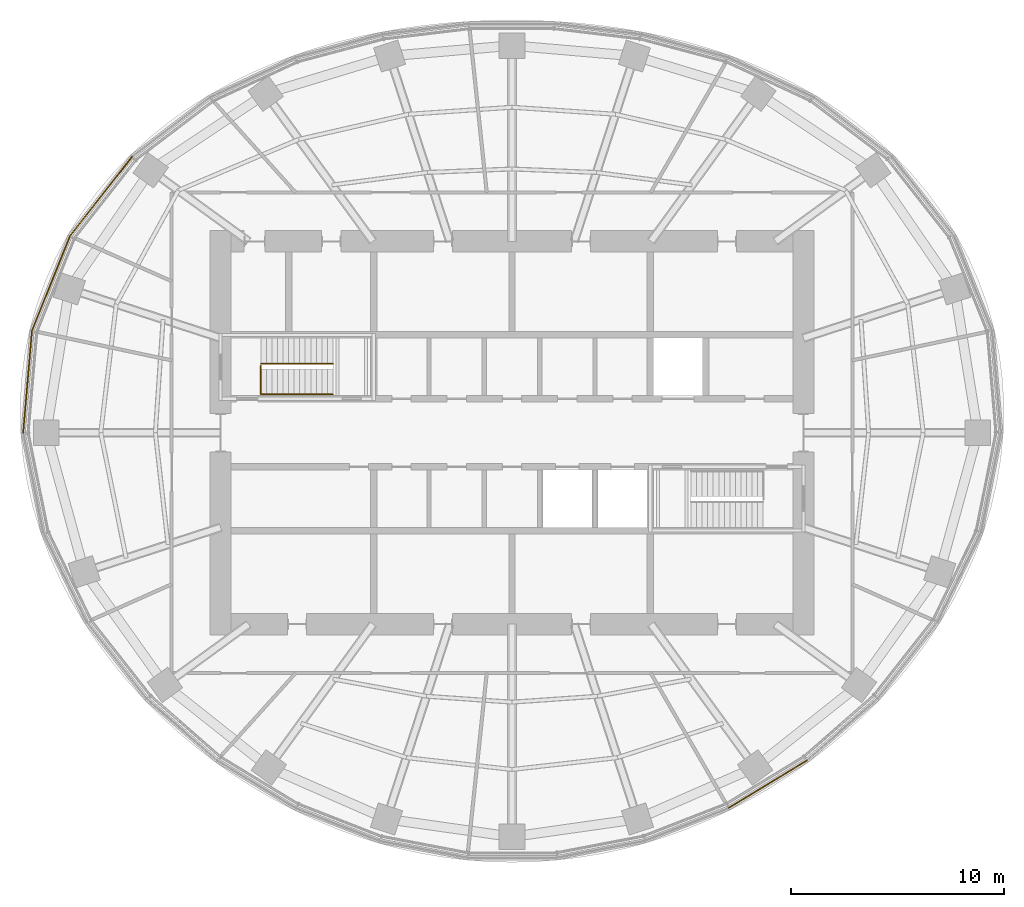
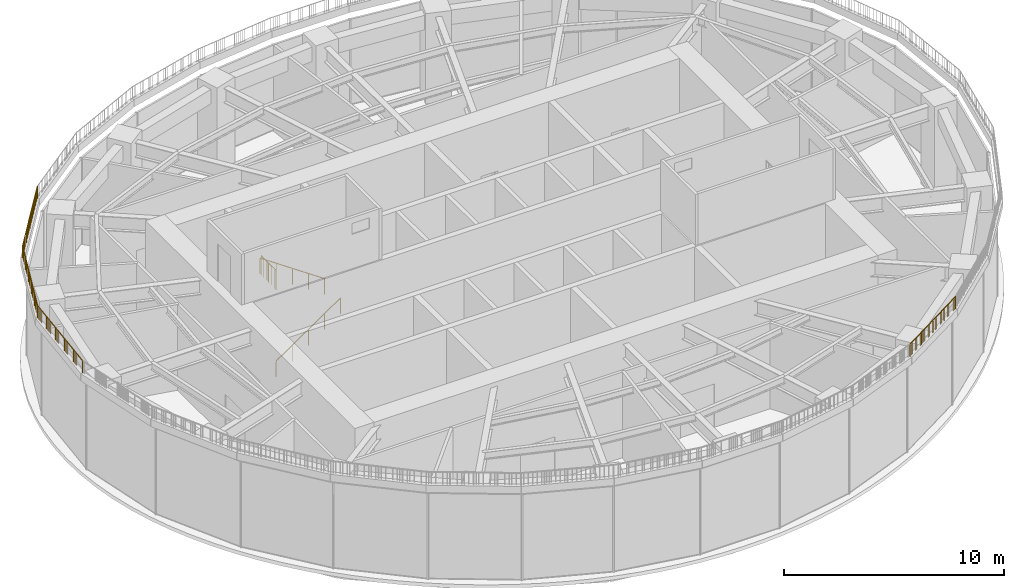
# One storey, part 15 of 19: 7 railings.
"""IFC4 building model written with IfcOpenShell, lengths in metres."""

from ifc_helpers import new_model, si_unit, direction, frame, origin, origin_2d, place, context, subcontext, project, spatial, circle, extrude, material, type_object, element, save


model = new_model("IFC4")

# Units and contexts
model_context = context("Model", 3, precision=1e-05, world=origin(), true_north=direction((0.0, 1.0)))
body_context = subcontext(model_context, "Body", "Model", "MODEL_VIEW")
ifc_project = project(units=[si_unit("LENGTHUNIT", "METRE"), si_unit("AREAUNIT", "SQUARE_METRE"), si_unit("VOLUMEUNIT", "CUBIC_METRE"), si_unit("PLANEANGLEUNIT", "RADIAN"), si_unit("MASSUNIT", "GRAM", prefix="KILO")], contexts=[model_context])

# Site, building, storey
site_placement = place(None, origin())
site = spatial("IfcSite", under=ifc_project, at=site_placement, CompositionType="ELEMENT")
building_placement = place(site_placement, origin())
building = spatial("IfcBuilding", under=site, at=building_placement, Name="Marramba Exchange Tower", CompositionType="ELEMENT")
storey_placement = place(building_placement, frame((0.0, 0.0, 277.0)))
storey = spatial("IfcBuildingStorey", under=building, at=storey_placement, Name="L67", CompositionType="ELEMENT", Elevation=277.0)

# Railings
ifc_material_1 = material(Name="Galvanised steel guardrail", Category="steel")
railing_type_1 = type_object("IfcRailingType", Name="Roof guardrail 1100", PredefinedType="GUARDRAIL", material=ifc_material_1)
railing_1_placement = place(storey_placement, frame((-17.859375, 12.9755859375, 5.39990234375)))
element("IfcRailing", 1, at=railing_1_placement, inside=storey, type_object=railing_type_1, Name="Roof guard Roof crown F13", PredefinedType="GUARDRAIL", context=body_context, shape_type="SweptSolid", body=[
    extrude(circle(Radius=0.02392578125, at=origin_2d()), frame((0.0, 0.0, 0.67578125), z_axis=(-0.617103610012, -0.78688190633, 0.0), x_axis=(0.78688190633, -0.617103610012, 0.0)), (0.0, 0.0, 1.0), 4.732421875),
    extrude(circle(Radius=0.02099609375, at=origin_2d()), origin(), (0.0, 0.0, 1.0), 0.65185546875),
    extrude(circle(Radius=0.02099609375, at=origin_2d()), frame((-0.72998046875, -0.930908203125, 0.0)), (0.0, 0.0, 1.0), 0.65185546875),
    extrude(circle(Radius=0.02099609375, at=origin_2d()), frame((-1.460205078125, -1.86181640625, 0.0)), (0.0, 0.0, 1.0), 0.65185546875),
    extrude(circle(Radius=0.02099609375, at=origin_2d()), frame((-2.1904296875, -2.79296875, 0.0)), (0.0, 0.0, 1.0), 0.65185546875),
    extrude(circle(Radius=0.02099609375, at=origin_2d()), frame((-2.92041015625, -3.723876953125, 0.0)), (0.0, 0.0, 1.0), 0.65185546875),
    extrude(circle(Radius=0.006103515625, at=origin_2d()), frame((-0.073974609375, -0.09423828125, 0.0)), (0.0, 0.0, 1.0), 0.65185546875),
    extrude(circle(Radius=0.006103515625, at=origin_2d()), frame((-0.138671875, -0.1767578125, 0.0)), (0.0, 0.0, 1.0), 0.65185546875),
    extrude(circle(Radius=0.006103515625, at=origin_2d()), frame((-0.203369140625, -0.25927734375, 0.0)), (0.0, 0.0, 1.0), 0.65185546875),
    extrude(circle(Radius=0.006103515625, at=origin_2d()), frame((-0.26806640625, -0.341796875, 0.0)), (0.0, 0.0, 1.0), 0.65185546875),
    extrude(circle(Radius=0.006103515625, at=origin_2d()), frame((-0.332763671875, -0.42431640625, 0.0)), (0.0, 0.0, 1.0), 0.65185546875),
    extrude(circle(Radius=0.006103515625, at=origin_2d()), frame((-0.3974609375, -0.5068359375, 0.0)), (0.0, 0.0, 1.0), 0.65185546875),
    extrude(circle(Radius=0.006103515625, at=origin_2d()), frame((-0.462158203125, -0.589111328125, 0.0)), (0.0, 0.0, 1.0), 0.65185546875),
    extrude(circle(Radius=0.006103515625, at=origin_2d()), frame((-0.52685546875, -0.671630859375, 0.0)), (0.0, 0.0, 1.0), 0.65185546875),
    extrude(circle(Radius=0.006103515625, at=origin_2d()), frame((-0.591552734375, -0.754150390625, 0.0)), (0.0, 0.0, 1.0), 0.65185546875),
    extrude(circle(Radius=0.006103515625, at=origin_2d()), frame((-0.65625, -0.836669921875, 0.0)), (0.0, 0.0, 1.0), 0.65185546875),
    extrude(circle(Radius=0.006103515625, at=origin_2d()), frame((-0.803955078125, -1.025146484375, 0.0)), (0.0, 0.0, 1.0), 0.65185546875),
    extrude(circle(Radius=0.006103515625, at=origin_2d()), frame((-0.86865234375, -1.107666015625, 0.0)), (0.0, 0.0, 1.0), 0.65185546875),
    extrude(circle(Radius=0.006103515625, at=origin_2d()), frame((-0.933349609375, -1.190185546875, 0.0)), (0.0, 0.0, 1.0), 0.65185546875),
    extrude(circle(Radius=0.006103515625, at=origin_2d()), frame((-0.998046875, -1.272705078125, 0.0)), (0.0, 0.0, 1.0), 0.65185546875),
    extrude(circle(Radius=0.006103515625, at=origin_2d()), frame((-1.062744140625, -1.355224609375, 0.0)), (0.0, 0.0, 1.0), 0.65185546875),
    extrude(circle(Radius=0.006103515625, at=origin_2d()), frame((-1.12744140625, -1.437744140625, 0.0)), (0.0, 0.0, 1.0), 0.65185546875),
    extrude(circle(Radius=0.006103515625, at=origin_2d()), frame((-1.192138671875, -1.520263671875, 0.0)), (0.0, 0.0, 1.0), 0.65185546875),
    extrude(circle(Radius=0.006103515625, at=origin_2d()), frame((-1.2568359375, -1.602783203125, 0.0)), (0.0, 0.0, 1.0), 0.65185546875),
    extrude(circle(Radius=0.006103515625, at=origin_2d()), frame((-1.321533203125, -1.68505859375, 0.0)), (0.0, 0.0, 1.0), 0.65185546875),
    extrude(circle(Radius=0.006103515625, at=origin_2d()), frame((-1.38623046875, -1.767578125, 0.0)), (0.0, 0.0, 1.0), 0.65185546875),
    extrude(circle(Radius=0.006103515625, at=origin_2d()), frame((-1.5341796875, -1.956298828125, 0.0)), (0.0, 0.0, 1.0), 0.65185546875),
    extrude(circle(Radius=0.006103515625, at=origin_2d()), frame((-1.598876953125, -2.038818359375, 0.0)), (0.0, 0.0, 1.0), 0.65185546875),
    extrude(circle(Radius=0.006103515625, at=origin_2d()), frame((-1.66357421875, -2.12109375, 0.0)), (0.0, 0.0, 1.0), 0.65185546875),
    extrude(circle(Radius=0.006103515625, at=origin_2d()), frame((-1.728271484375, -2.20361328125, 0.0)), (0.0, 0.0, 1.0), 0.65185546875),
    extrude(circle(Radius=0.006103515625, at=origin_2d()), frame((-1.79296875, -2.2861328125, 0.0)), (0.0, 0.0, 1.0), 0.65185546875),
    extrude(circle(Radius=0.006103515625, at=origin_2d()), frame((-1.857666015625, -2.36865234375, 0.0)), (0.0, 0.0, 1.0), 0.65185546875),
    extrude(circle(Radius=0.006103515625, at=origin_2d()), frame((-1.92236328125, -2.451171875, 0.0)), (0.0, 0.0, 1.0), 0.65185546875),
    extrude(circle(Radius=0.006103515625, at=origin_2d()), frame((-1.987060546875, -2.53369140625, 0.0)), (0.0, 0.0, 1.0), 0.65185546875),
    extrude(circle(Radius=0.006103515625, at=origin_2d()), frame((-2.0517578125, -2.6162109375, 0.0)), (0.0, 0.0, 1.0), 0.65185546875),
    extrude(circle(Radius=0.006103515625, at=origin_2d()), frame((-2.116455078125, -2.69873046875, 0.0)), (0.0, 0.0, 1.0), 0.65185546875),
    extrude(circle(Radius=0.006103515625, at=origin_2d()), frame((-2.26416015625, -2.88720703125, 0.0)), (0.0, 0.0, 1.0), 0.65185546875),
    extrude(circle(Radius=0.006103515625, at=origin_2d()), frame((-2.328857421875, -2.9697265625, 0.0)), (0.0, 0.0, 1.0), 0.65185546875),
    extrude(circle(Radius=0.006103515625, at=origin_2d()), frame((-2.3935546875, -3.05224609375, 0.0)), (0.0, 0.0, 1.0), 0.65185546875),
    extrude(circle(Radius=0.006103515625, at=origin_2d()), frame((-2.458251953125, -3.134765625, 0.0)), (0.0, 0.0, 1.0), 0.65185546875),
    extrude(circle(Radius=0.006103515625, at=origin_2d()), frame((-2.52294921875, -3.217041015625, 0.0)), (0.0, 0.0, 1.0), 0.65185546875),
    extrude(circle(Radius=0.006103515625, at=origin_2d()), frame((-2.587646484375, -3.299560546875, 0.0)), (0.0, 0.0, 1.0), 0.65185546875),
    extrude(circle(Radius=0.006103515625, at=origin_2d()), frame((-2.65234375, -3.382080078125, 0.0)), (0.0, 0.0, 1.0), 0.65185546875),
    extrude(circle(Radius=0.006103515625, at=origin_2d()), frame((-2.717041015625, -3.464599609375, 0.0)), (0.0, 0.0, 1.0), 0.65185546875),
    extrude(circle(Radius=0.006103515625, at=origin_2d()), frame((-2.78173828125, -3.547119140625, 0.0)), (0.0, 0.0, 1.0), 0.65185546875),
    extrude(circle(Radius=0.006103515625, at=origin_2d()), frame((-2.846435546875, -3.629638671875, 0.0)), (0.0, 0.0, 1.0), 0.65185546875),
])
railing_2_placement = place(storey_placement, frame((-20.77978515625, 9.251708984375, 5.39990234375)))
element("IfcRailing", 2, at=railing_2_placement, inside=storey, type_object=railing_type_1, Name="Roof guard Roof crown F14", PredefinedType="GUARDRAIL", context=body_context, shape_type="SweptSolid", body=[
    extrude(circle(Radius=0.02392578125, at=origin_2d()), frame((0.0, 0.0, 0.67578125), z_axis=(-0.372363873994, -0.928086819939, 0.0), x_axis=(0.928086819939, -0.372363873994, 0.0)), (0.0, 0.0, 1.0), 4.800048828125),
    extrude(circle(Radius=0.02099609375, at=origin_2d()), origin(), (0.0, 0.0, 1.0), 0.65185546875),
    extrude(circle(Radius=0.02099609375, at=origin_2d()), frame((-0.357421875, -0.890869140625, 0.0)), (0.0, 0.0, 1.0), 0.65185546875),
    extrude(circle(Radius=0.02099609375, at=origin_2d()), frame((-0.71484375, -1.781982421875, 0.0)), (0.0, 0.0, 1.0), 0.65185546875),
    extrude(circle(Radius=0.02099609375, at=origin_2d()), frame((-1.072509765625, -2.6728515625, 0.0)), (0.0, 0.0, 1.0), 0.65185546875),
    extrude(circle(Radius=0.02099609375, at=origin_2d()), frame((-1.429931640625, -3.56396484375, 0.0)), (0.0, 0.0, 1.0), 0.65185546875),
    extrude(circle(Radius=0.02099609375, at=origin_2d()), frame((-1.787353515625, -4.454833984375, 0.0)), (0.0, 0.0, 1.0), 0.65185546875),
    extrude(circle(Radius=0.006103515625, at=origin_2d()), frame((-0.0439453125, -0.10986328125, 0.0)), (0.0, 0.0, 1.0), 0.65185546875),
    extrude(circle(Radius=0.006103515625, at=origin_2d()), frame((-0.08251953125, -0.205810546875, 0.0)), (0.0, 0.0, 1.0), 0.65185546875),
    extrude(circle(Radius=0.006103515625, at=origin_2d()), frame((-0.12109375, -0.301513671875, 0.0)), (0.0, 0.0, 1.0), 0.65185546875),
    extrude(circle(Radius=0.006103515625, at=origin_2d()), frame((-0.159423828125, -0.3974609375, 0.0)), (0.0, 0.0, 1.0), 0.65185546875),
    extrude(circle(Radius=0.006103515625, at=origin_2d()), frame((-0.197998046875, -0.493408203125, 0.0)), (0.0, 0.0, 1.0), 0.65185546875),
    extrude(circle(Radius=0.006103515625, at=origin_2d()), frame((-0.236572265625, -0.58935546875, 0.0)), (0.0, 0.0, 1.0), 0.65185546875),
    extrude(circle(Radius=0.006103515625, at=origin_2d()), frame((-0.27490234375, -0.685302734375, 0.0)), (0.0, 0.0, 1.0), 0.65185546875),
    extrude(circle(Radius=0.006103515625, at=origin_2d()), frame((-0.3134765625, -0.78125, 0.0)), (0.0, 0.0, 1.0), 0.65185546875),
    extrude(circle(Radius=0.006103515625, at=origin_2d()), frame((-0.401611328125, -1.000732421875, 0.0)), (0.0, 0.0, 1.0), 0.65185546875),
    extrude(circle(Radius=0.006103515625, at=origin_2d()), frame((-0.43994140625, -1.0966796875, 0.0)), (0.0, 0.0, 1.0), 0.65185546875),
    extrude(circle(Radius=0.006103515625, at=origin_2d()), frame((-0.478515625, -1.192626953125, 0.0)), (0.0, 0.0, 1.0), 0.65185546875),
    extrude(circle(Radius=0.006103515625, at=origin_2d()), frame((-0.516845703125, -1.28857421875, 0.0)), (0.0, 0.0, 1.0), 0.65185546875),
    extrude(circle(Radius=0.006103515625, at=origin_2d()), frame((-0.555419921875, -1.384521484375, 0.0)), (0.0, 0.0, 1.0), 0.65185546875),
    extrude(circle(Radius=0.006103515625, at=origin_2d()), frame((-0.593994140625, -1.480224609375, 0.0)), (0.0, 0.0, 1.0), 0.65185546875),
    extrude(circle(Radius=0.006103515625, at=origin_2d()), frame((-0.63232421875, -1.576171875, 0.0)), (0.0, 0.0, 1.0), 0.65185546875),
    extrude(circle(Radius=0.006103515625, at=origin_2d()), frame((-0.6708984375, -1.672119140625, 0.0)), (0.0, 0.0, 1.0), 0.65185546875),
    extrude(circle(Radius=0.006103515625, at=origin_2d()), frame((-0.759033203125, -1.891845703125, 0.0)), (0.0, 0.0, 1.0), 0.65185546875),
    extrude(circle(Radius=0.006103515625, at=origin_2d()), frame((-0.79736328125, -1.987548828125, 0.0)), (0.0, 0.0, 1.0), 0.65185546875),
    extrude(circle(Radius=0.006103515625, at=origin_2d()), frame((-0.8359375, -2.08349609375, 0.0)), (0.0, 0.0, 1.0), 0.65185546875),
    extrude(circle(Radius=0.006103515625, at=origin_2d()), frame((-0.87451171875, -2.179443359375, 0.0)), (0.0, 0.0, 1.0), 0.65185546875),
    extrude(circle(Radius=0.006103515625, at=origin_2d()), frame((-0.912841796875, -2.275390625, 0.0)), (0.0, 0.0, 1.0), 0.65185546875),
    extrude(circle(Radius=0.006103515625, at=origin_2d()), frame((-0.951416015625, -2.371337890625, 0.0)), (0.0, 0.0, 1.0), 0.65185546875),
    extrude(circle(Radius=0.006103515625, at=origin_2d()), frame((-0.989990234375, -2.46728515625, 0.0)), (0.0, 0.0, 1.0), 0.65185546875),
    extrude(circle(Radius=0.006103515625, at=origin_2d()), frame((-1.0283203125, -2.56298828125, 0.0)), (0.0, 0.0, 1.0), 0.65185546875),
    extrude(circle(Radius=0.006103515625, at=origin_2d()), frame((-1.116455078125, -2.78271484375, 0.0)), (0.0, 0.0, 1.0), 0.65185546875),
    extrude(circle(Radius=0.006103515625, at=origin_2d()), frame((-1.155029296875, -2.878662109375, 0.0)), (0.0, 0.0, 1.0), 0.65185546875),
    extrude(circle(Radius=0.006103515625, at=origin_2d()), frame((-1.193359375, -2.974609375, 0.0)), (0.0, 0.0, 1.0), 0.65185546875),
    extrude(circle(Radius=0.006103515625, at=origin_2d()), frame((-1.23193359375, -3.0703125, 0.0)), (0.0, 0.0, 1.0), 0.65185546875),
    extrude(circle(Radius=0.006103515625, at=origin_2d()), frame((-1.2705078125, -3.166259765625, 0.0)), (0.0, 0.0, 1.0), 0.65185546875),
    extrude(circle(Radius=0.006103515625, at=origin_2d()), frame((-1.308837890625, -3.26220703125, 0.0)), (0.0, 0.0, 1.0), 0.65185546875),
    extrude(circle(Radius=0.006103515625, at=origin_2d()), frame((-1.347412109375, -3.358154296875, 0.0)), (0.0, 0.0, 1.0), 0.65185546875),
    extrude(circle(Radius=0.006103515625, at=origin_2d()), frame((-1.3857421875, -3.4541015625, 0.0)), (0.0, 0.0, 1.0), 0.65185546875),
    extrude(circle(Radius=0.006103515625, at=origin_2d()), frame((-1.473876953125, -3.673583984375, 0.0)), (0.0, 0.0, 1.0), 0.65185546875),
    extrude(circle(Radius=0.006103515625, at=origin_2d()), frame((-1.512451171875, -3.76953125, 0.0)), (0.0, 0.0, 1.0), 0.65185546875),
    extrude(circle(Radius=0.006103515625, at=origin_2d()), frame((-1.55078125, -3.865478515625, 0.0)), (0.0, 0.0, 1.0), 0.65185546875),
    extrude(circle(Radius=0.006103515625, at=origin_2d()), frame((-1.58935546875, -3.96142578125, 0.0)), (0.0, 0.0, 1.0), 0.65185546875),
    extrude(circle(Radius=0.006103515625, at=origin_2d()), frame((-1.6279296875, -4.057373046875, 0.0)), (0.0, 0.0, 1.0), 0.65185546875),
    extrude(circle(Radius=0.006103515625, at=origin_2d()), frame((-1.666259765625, -4.1533203125, 0.0)), (0.0, 0.0, 1.0), 0.65185546875),
    extrude(circle(Radius=0.006103515625, at=origin_2d()), frame((-1.704833984375, -4.2490234375, 0.0)), (0.0, 0.0, 1.0), 0.65185546875),
    extrude(circle(Radius=0.006103515625, at=origin_2d()), frame((-1.743408203125, -4.344970703125, 0.0)), (0.0, 0.0, 1.0), 0.65185546875),
])
railing_3_placement = place(storey_placement, frame((-22.567138671875, 4.796875, 5.39990234375)))
element("IfcRailing", 3, at=railing_3_placement, inside=storey, type_object=railing_type_1, Name="Roof guard Roof crown F15", PredefinedType="GUARDRAIL", context=body_context, shape_type="SweptSolid", body=[
    extrude(circle(Radius=0.02392578125, at=origin_2d()), frame((0.0, 0.0, 0.67578125), z_axis=(-0.085747752545, -0.996316878776, 0.0), x_axis=(0.996316878776, -0.085747752545, 0.0)), (0.0, 0.0, 1.0), 4.814697265625),
    extrude(circle(Radius=0.02099609375, at=origin_2d()), origin(), (0.0, 0.0, 1.0), 0.65185546875),
    extrude(circle(Radius=0.02099609375, at=origin_2d()), frame((-0.08251953125, -0.95947265625, 0.0)), (0.0, 0.0, 1.0), 0.65185546875),
    extrude(circle(Radius=0.02099609375, at=origin_2d()), frame((-0.1650390625, -1.918701171875, 0.0)), (0.0, 0.0, 1.0), 0.65185546875),
    extrude(circle(Radius=0.02099609375, at=origin_2d()), frame((-0.247802734375, -2.878173828125, 0.0)), (0.0, 0.0, 1.0), 0.65185546875),
    extrude(circle(Radius=0.02099609375, at=origin_2d()), frame((-0.330322265625, -3.83740234375, 0.0)), (0.0, 0.0, 1.0), 0.65185546875),
    extrude(circle(Radius=0.02099609375, at=origin_2d()), frame((-0.412841796875, -4.796875, 0.0)), (0.0, 0.0, 1.0), 0.65185546875),
    extrude(circle(Radius=0.006103515625, at=origin_2d()), frame((-0.01025390625, -0.1181640625, 0.0)), (0.0, 0.0, 1.0), 0.65185546875),
    extrude(circle(Radius=0.006103515625, at=origin_2d()), frame((-0.01904296875, -0.221435546875, 0.0)), (0.0, 0.0, 1.0), 0.65185546875),
    extrude(circle(Radius=0.006103515625, at=origin_2d()), frame((-0.02783203125, -0.32470703125, 0.0)), (0.0, 0.0, 1.0), 0.65185546875),
    extrude(circle(Radius=0.006103515625, at=origin_2d()), frame((-0.036865234375, -0.427978515625, 0.0)), (0.0, 0.0, 1.0), 0.65185546875),
    extrude(circle(Radius=0.006103515625, at=origin_2d()), frame((-0.045654296875, -0.53125, 0.0)), (0.0, 0.0, 1.0), 0.65185546875),
    extrude(circle(Radius=0.006103515625, at=origin_2d()), frame((-0.0546875, -0.634521484375, 0.0)), (0.0, 0.0, 1.0), 0.65185546875),
    extrude(circle(Radius=0.006103515625, at=origin_2d()), frame((-0.0634765625, -0.73779296875, 0.0)), (0.0, 0.0, 1.0), 0.65185546875),
    extrude(circle(Radius=0.006103515625, at=origin_2d()), frame((-0.072509765625, -0.841064453125, 0.0)), (0.0, 0.0, 1.0), 0.65185546875),
    extrude(circle(Radius=0.006103515625, at=origin_2d()), frame((-0.0927734375, -1.07763671875, 0.0)), (0.0, 0.0, 1.0), 0.65185546875),
    extrude(circle(Radius=0.006103515625, at=origin_2d()), frame((-0.1015625, -1.180908203125, 0.0)), (0.0, 0.0, 1.0), 0.65185546875),
    extrude(circle(Radius=0.006103515625, at=origin_2d()), frame((-0.110595703125, -1.2841796875, 0.0)), (0.0, 0.0, 1.0), 0.65185546875),
    extrude(circle(Radius=0.006103515625, at=origin_2d()), frame((-0.119384765625, -1.387451171875, 0.0)), (0.0, 0.0, 1.0), 0.65185546875),
    extrude(circle(Radius=0.006103515625, at=origin_2d()), frame((-0.12841796875, -1.49072265625, 0.0)), (0.0, 0.0, 1.0), 0.65185546875),
    extrude(circle(Radius=0.006103515625, at=origin_2d()), frame((-0.13720703125, -1.593994140625, 0.0)), (0.0, 0.0, 1.0), 0.65185546875),
    extrude(circle(Radius=0.006103515625, at=origin_2d()), frame((-0.14599609375, -1.697265625, 0.0)), (0.0, 0.0, 1.0), 0.65185546875),
    extrude(circle(Radius=0.006103515625, at=origin_2d()), frame((-0.155029296875, -1.800537109375, 0.0)), (0.0, 0.0, 1.0), 0.65185546875),
    extrude(circle(Radius=0.006103515625, at=origin_2d()), frame((-0.17529296875, -2.036865234375, 0.0)), (0.0, 0.0, 1.0), 0.65185546875),
    extrude(circle(Radius=0.006103515625, at=origin_2d()), frame((-0.18408203125, -2.14013671875, 0.0)), (0.0, 0.0, 1.0), 0.65185546875),
    extrude(circle(Radius=0.006103515625, at=origin_2d()), frame((-0.193115234375, -2.243408203125, 0.0)), (0.0, 0.0, 1.0), 0.65185546875),
    extrude(circle(Radius=0.006103515625, at=origin_2d()), frame((-0.201904296875, -2.3466796875, 0.0)), (0.0, 0.0, 1.0), 0.65185546875),
    extrude(circle(Radius=0.006103515625, at=origin_2d()), frame((-0.2109375, -2.4501953125, 0.0)), (0.0, 0.0, 1.0), 0.65185546875),
    extrude(circle(Radius=0.006103515625, at=origin_2d()), frame((-0.2197265625, -2.553466796875, 0.0)), (0.0, 0.0, 1.0), 0.65185546875),
    extrude(circle(Radius=0.006103515625, at=origin_2d()), frame((-0.228759765625, -2.65673828125, 0.0)), (0.0, 0.0, 1.0), 0.65185546875),
    extrude(circle(Radius=0.006103515625, at=origin_2d()), frame((-0.237548828125, -2.760009765625, 0.0)), (0.0, 0.0, 1.0), 0.65185546875),
    extrude(circle(Radius=0.006103515625, at=origin_2d()), frame((-0.2578125, -2.996337890625, 0.0)), (0.0, 0.0, 1.0), 0.65185546875),
    extrude(circle(Radius=0.006103515625, at=origin_2d()), frame((-0.266845703125, -3.099609375, 0.0)), (0.0, 0.0, 1.0), 0.65185546875),
    extrude(circle(Radius=0.006103515625, at=origin_2d()), frame((-0.275634765625, -3.202880859375, 0.0)), (0.0, 0.0, 1.0), 0.65185546875),
    extrude(circle(Radius=0.006103515625, at=origin_2d()), frame((-0.284423828125, -3.30615234375, 0.0)), (0.0, 0.0, 1.0), 0.65185546875),
    extrude(circle(Radius=0.006103515625, at=origin_2d()), frame((-0.29345703125, -3.409423828125, 0.0)), (0.0, 0.0, 1.0), 0.65185546875),
    extrude(circle(Radius=0.006103515625, at=origin_2d()), frame((-0.30224609375, -3.5126953125, 0.0)), (0.0, 0.0, 1.0), 0.65185546875),
    extrude(circle(Radius=0.006103515625, at=origin_2d()), frame((-0.311279296875, -3.615966796875, 0.0)), (0.0, 0.0, 1.0), 0.65185546875),
    extrude(circle(Radius=0.006103515625, at=origin_2d()), frame((-0.320068359375, -3.71923828125, 0.0)), (0.0, 0.0, 1.0), 0.65185546875),
    extrude(circle(Radius=0.006103515625, at=origin_2d()), frame((-0.34033203125, -3.955810546875, 0.0)), (0.0, 0.0, 1.0), 0.65185546875),
    extrude(circle(Radius=0.006103515625, at=origin_2d()), frame((-0.349365234375, -4.05908203125, 0.0)), (0.0, 0.0, 1.0), 0.65185546875),
    extrude(circle(Radius=0.006103515625, at=origin_2d()), frame((-0.358154296875, -4.162353515625, 0.0)), (0.0, 0.0, 1.0), 0.65185546875),
    extrude(circle(Radius=0.006103515625, at=origin_2d()), frame((-0.3671875, -4.265625, 0.0)), (0.0, 0.0, 1.0), 0.65185546875),
    extrude(circle(Radius=0.006103515625, at=origin_2d()), frame((-0.3759765625, -4.368896484375, 0.0)), (0.0, 0.0, 1.0), 0.65185546875),
    extrude(circle(Radius=0.006103515625, at=origin_2d()), frame((-0.385009765625, -4.47216796875, 0.0)), (0.0, 0.0, 1.0), 0.65185546875),
    extrude(circle(Radius=0.006103515625, at=origin_2d()), frame((-0.393798828125, -4.575439453125, 0.0)), (0.0, 0.0, 1.0), 0.65185546875),
    extrude(circle(Radius=0.006103515625, at=origin_2d()), frame((-0.402587890625, -4.6787109375, 0.0)), (0.0, 0.0, 1.0), 0.65185546875),
])
railing_4_placement = place(storey_placement, frame((10.185546875, -17.64208984375, 5.39990234375)))
element("IfcRailing", 4, at=railing_4_placement, inside=storey, type_object=railing_type_1, Name="Roof guard Roof crown F26", PredefinedType="GUARDRAIL", context=body_context, shape_type="SweptSolid", body=[
    extrude(circle(Radius=0.02392578125, at=origin_2d()), frame((0.0, 0.0, 0.67578125), z_axis=(0.854217149251, 0.519916398977, 0.0), x_axis=(-0.519916398977, 0.854217149251, 0.0)), (0.0, 0.0, 1.0), 4.310302734375),
    extrude(circle(Radius=0.02099609375, at=origin_2d()), origin(), (0.0, 0.0, 1.0), 0.65185546875),
    extrude(circle(Radius=0.02099609375, at=origin_2d()), frame((0.92041015625, 0.560302734375, 0.0)), (0.0, 0.0, 1.0), 0.65185546875),
    extrude(circle(Radius=0.02099609375, at=origin_2d()), frame((1.8408203125, 1.12060546875, 0.0)), (0.0, 0.0, 1.0), 0.65185546875),
    extrude(circle(Radius=0.02099609375, at=origin_2d()), frame((2.761474609375, 1.6806640625, 0.0)), (0.0, 0.0, 1.0), 0.65185546875),
    extrude(circle(Radius=0.02099609375, at=origin_2d()), frame((3.681884765625, 2.240966796875, 0.0)), (0.0, 0.0, 1.0), 0.65185546875),
    extrude(circle(Radius=0.006103515625, at=origin_2d()), frame((0.102294921875, 0.062255859375, 0.0)), (0.0, 0.0, 1.0), 0.65185546875),
    extrude(circle(Radius=0.006103515625, at=origin_2d()), frame((0.19189453125, 0.11669921875, 0.0)), (0.0, 0.0, 1.0), 0.65185546875),
    extrude(circle(Radius=0.006103515625, at=origin_2d()), frame((0.28125, 0.171142578125, 0.0)), (0.0, 0.0, 1.0), 0.65185546875),
    extrude(circle(Radius=0.006103515625, at=origin_2d()), frame((0.370849609375, 0.2255859375, 0.0)), (0.0, 0.0, 1.0), 0.65185546875),
    extrude(circle(Radius=0.006103515625, at=origin_2d()), frame((0.460205078125, 0.280029296875, 0.0)), (0.0, 0.0, 1.0), 0.65185546875),
    extrude(circle(Radius=0.006103515625, at=origin_2d()), frame((0.5498046875, 0.33447265625, 0.0)), (0.0, 0.0, 1.0), 0.65185546875),
    extrude(circle(Radius=0.006103515625, at=origin_2d()), frame((0.63916015625, 0.38916015625, 0.0)), (0.0, 0.0, 1.0), 0.65185546875),
    extrude(circle(Radius=0.006103515625, at=origin_2d()), frame((0.728759765625, 0.443603515625, 0.0)), (0.0, 0.0, 1.0), 0.65185546875),
    extrude(circle(Radius=0.006103515625, at=origin_2d()), frame((0.818115234375, 0.498046875, 0.0)), (0.0, 0.0, 1.0), 0.65185546875),
    extrude(circle(Radius=0.006103515625, at=origin_2d()), frame((1.022705078125, 0.62255859375, 0.0)), (0.0, 0.0, 1.0), 0.65185546875),
    extrude(circle(Radius=0.006103515625, at=origin_2d()), frame((1.1123046875, 0.677001953125, 0.0)), (0.0, 0.0, 1.0), 0.65185546875),
    extrude(circle(Radius=0.006103515625, at=origin_2d()), frame((1.20166015625, 0.7314453125, 0.0)), (0.0, 0.0, 1.0), 0.65185546875),
    extrude(circle(Radius=0.006103515625, at=origin_2d()), frame((1.291259765625, 0.785888671875, 0.0)), (0.0, 0.0, 1.0), 0.65185546875),
    extrude(circle(Radius=0.006103515625, at=origin_2d()), frame((1.380615234375, 0.84033203125, 0.0)), (0.0, 0.0, 1.0), 0.65185546875),
    extrude(circle(Radius=0.006103515625, at=origin_2d()), frame((1.47021484375, 0.894775390625, 0.0)), (0.0, 0.0, 1.0), 0.65185546875),
    extrude(circle(Radius=0.006103515625, at=origin_2d()), frame((1.5595703125, 0.94921875, 0.0)), (0.0, 0.0, 1.0), 0.65185546875),
    extrude(circle(Radius=0.006103515625, at=origin_2d()), frame((1.649169921875, 1.003662109375, 0.0)), (0.0, 0.0, 1.0), 0.65185546875),
    extrude(circle(Radius=0.006103515625, at=origin_2d()), frame((1.738525390625, 1.05810546875, 0.0)), (0.0, 0.0, 1.0), 0.65185546875),
    extrude(circle(Radius=0.006103515625, at=origin_2d()), frame((1.943359375, 1.182861328125, 0.0)), (0.0, 0.0, 1.0), 0.65185546875),
    extrude(circle(Radius=0.006103515625, at=origin_2d()), frame((2.03271484375, 1.2373046875, 0.0)), (0.0, 0.0, 1.0), 0.65185546875),
    extrude(circle(Radius=0.006103515625, at=origin_2d()), frame((2.122314453125, 1.291748046875, 0.0)), (0.0, 0.0, 1.0), 0.65185546875),
    extrude(circle(Radius=0.006103515625, at=origin_2d()), frame((2.211669921875, 1.34619140625, 0.0)), (0.0, 0.0, 1.0), 0.65185546875),
    extrude(circle(Radius=0.006103515625, at=origin_2d()), frame((2.30126953125, 1.400634765625, 0.0)), (0.0, 0.0, 1.0), 0.65185546875),
    extrude(circle(Radius=0.006103515625, at=origin_2d()), frame((2.390625, 1.455078125, 0.0)), (0.0, 0.0, 1.0), 0.65185546875),
    extrude(circle(Radius=0.006103515625, at=origin_2d()), frame((2.480224609375, 1.509521484375, 0.0)), (0.0, 0.0, 1.0), 0.65185546875),
    extrude(circle(Radius=0.006103515625, at=origin_2d()), frame((2.569580078125, 1.56396484375, 0.0)), (0.0, 0.0, 1.0), 0.65185546875),
    extrude(circle(Radius=0.006103515625, at=origin_2d()), frame((2.6591796875, 1.618408203125, 0.0)), (0.0, 0.0, 1.0), 0.65185546875),
    extrude(circle(Radius=0.006103515625, at=origin_2d()), frame((2.86376953125, 1.742919921875, 0.0)), (0.0, 0.0, 1.0), 0.65185546875),
    extrude(circle(Radius=0.006103515625, at=origin_2d()), frame((2.953125, 1.79736328125, 0.0)), (0.0, 0.0, 1.0), 0.65185546875),
    extrude(circle(Radius=0.006103515625, at=origin_2d()), frame((3.042724609375, 1.851806640625, 0.0)), (0.0, 0.0, 1.0), 0.65185546875),
    extrude(circle(Radius=0.006103515625, at=origin_2d()), frame((3.132080078125, 1.906494140625, 0.0)), (0.0, 0.0, 1.0), 0.65185546875),
    extrude(circle(Radius=0.006103515625, at=origin_2d()), frame((3.2216796875, 1.9609375, 0.0)), (0.0, 0.0, 1.0), 0.65185546875),
    extrude(circle(Radius=0.006103515625, at=origin_2d()), frame((3.31103515625, 2.015380859375, 0.0)), (0.0, 0.0, 1.0), 0.65185546875),
    extrude(circle(Radius=0.006103515625, at=origin_2d()), frame((3.400634765625, 2.06982421875, 0.0)), (0.0, 0.0, 1.0), 0.65185546875),
    extrude(circle(Radius=0.006103515625, at=origin_2d()), frame((3.489990234375, 2.124267578125, 0.0)), (0.0, 0.0, 1.0), 0.65185546875),
    extrude(circle(Radius=0.006103515625, at=origin_2d()), frame((3.57958984375, 2.1787109375, 0.0)), (0.0, 0.0, 1.0), 0.65185546875),
])
ifc_material_2 = material(Name="Stainless steel handrail", Category="steel")
railing_type_2 = type_object("IfcRailingType", Name="Stair handrail 900", PredefinedType="HANDRAIL", material=ifc_material_2)
railing_5_placement = place(storey_placement, frame((-11.800048828125, 1.800048828125, 0.178466796875)))
element("IfcRailing", 5, at=railing_5_placement, inside=storey, type_object=railing_type_2, Name="Handrail HR1 ST1 L67 flight 1", PredefinedType="HANDRAIL", context=body_context, shape_type="SweptSolid", body=[
    extrude(circle(Radius=0.02392578125, at=origin_2d()), frame((0.0, 0.0, 0.8759765625), z_axis=(0.824304150675, 0.0, 0.566147213346), x_axis=(0.0, 1.0, 0.0)), (0.0, 0.0, 1.0), 4.1005859375),
    extrude(circle(Radius=0.02099609375, at=origin_2d()), origin(), (0.0, 0.0, 1.0), 0.851806640625),
    extrude(circle(Radius=0.02099609375, at=origin_2d()), frame((0.844970703125, 0.0, 0.580322265625)), (0.0, 0.0, 1.0), 0.851806640625),
    extrude(circle(Radius=0.02099609375, at=origin_2d()), frame((1.68994140625, 0.0, 1.16064453125)), (0.0, 0.0, 1.0), 0.851806640625),
    extrude(circle(Radius=0.02099609375, at=origin_2d()), frame((2.53515625, 0.0, 1.7412109375)), (0.0, 0.0, 1.0), 0.851806640625),
    extrude(circle(Radius=0.02099609375, at=origin_2d()), frame((3.380126953125, 0.0, 2.321533203125)), (0.0, 0.0, 1.0), 0.851806640625),
])
railing_6_placement = place(storey_placement, frame((-8.419921875, 3.25, 2.678466796875)))
element("IfcRailing", 6, at=railing_6_placement, inside=storey, type_object=railing_type_2, Name="Handrail HR1 ST1 L67 flight 2", PredefinedType="HANDRAIL", context=body_context, shape_type="SweptSolid", body=[
    extrude(circle(Radius=0.02392578125, at=origin_2d()), frame((0.0, 0.0, 0.8759765625), z_axis=(-0.824304150675, 0.0, 0.566147213346), x_axis=(0.0, -1.0, 0.0)), (0.0, 0.0, 1.0), 4.1005859375),
    extrude(circle(Radius=0.02099609375, at=origin_2d()), origin(), (0.0, 0.0, 1.0), 0.851806640625),
    extrude(circle(Radius=0.02099609375, at=origin_2d()), frame((-0.844970703125, 0.0, 0.580322265625)), (0.0, 0.0, 1.0), 0.851806640625),
    extrude(circle(Radius=0.02099609375, at=origin_2d()), frame((-1.68994140625, 0.0, 1.16064453125)), (0.0, 0.0, 1.0), 0.851806640625),
    extrude(circle(Radius=0.02099609375, at=origin_2d()), frame((-2.53515625, 0.0, 1.7412109375)), (0.0, 0.0, 1.0), 0.851806640625),
    extrude(circle(Radius=0.02099609375, at=origin_2d()), frame((-3.380126953125, 0.0, 2.321533203125)), (0.0, 0.0, 1.0), 0.851806640625),
])
ifc_material_3 = material(Name="Stainless steel guard", Category="steel")
railing_type_3 = type_object("IfcRailingType", Name="Stair well guard 1100", PredefinedType="GUARDRAIL", material=ifc_material_3)
railing_7_placement = place(storey_placement, frame((-11.800048828125, 1.800048828125, 5.0)))
element("IfcRailing", 7, at=railing_7_placement, inside=storey, type_object=railing_type_3, Name="Stair well guard GR2 ST1 roof landing", PredefinedType="GUARDRAIL", context=body_context, shape_type="SweptSolid", body=[
    extrude(circle(Radius=0.02392578125, at=origin_2d()), frame((0.0, 0.0, 1.076171875), z_axis=(0.0, 1.0, 0.0), x_axis=(-1.0, 0.0, 0.0)), (0.0, 0.0, 1.0), 1.349853515625),
    extrude(circle(Radius=0.02099609375, at=origin_2d()), origin(), (0.0, 0.0, 1.0), 1.052001953125),
    extrude(circle(Radius=0.02099609375, at=origin_2d()), frame((0.0, 0.6748046875, 0.0)), (0.0, 0.0, 1.0), 1.052001953125),
    extrude(circle(Radius=0.02099609375, at=origin_2d()), frame((0.0, 1.349853515625, 0.0)), (0.0, 0.0, 1.0), 1.052001953125),
    extrude(circle(Radius=0.006103515625, at=origin_2d()), frame((0.0, 0.12255859375, 0.0)), (0.0, 0.0, 1.0), 1.052001953125),
    extrude(circle(Radius=0.006103515625, at=origin_2d()), frame((0.0, 0.22998046875, 0.0)), (0.0, 0.0, 1.0), 1.052001953125),
    extrude(circle(Radius=0.006103515625, at=origin_2d()), frame((0.0, 0.33740234375, 0.0)), (0.0, 0.0, 1.0), 1.052001953125),
    extrude(circle(Radius=0.006103515625, at=origin_2d()), frame((0.0, 0.445068359375, 0.0)), (0.0, 0.0, 1.0), 1.052001953125),
    extrude(circle(Radius=0.006103515625, at=origin_2d()), frame((0.0, 0.552490234375, 0.0)), (0.0, 0.0, 1.0), 1.052001953125),
    extrude(circle(Radius=0.006103515625, at=origin_2d()), frame((0.0, 0.79736328125, 0.0)), (0.0, 0.0, 1.0), 1.052001953125),
    extrude(circle(Radius=0.006103515625, at=origin_2d()), frame((0.0, 0.90478515625, 0.0)), (0.0, 0.0, 1.0), 1.052001953125),
    extrude(circle(Radius=0.006103515625, at=origin_2d()), frame((0.0, 1.012451171875, 0.0)), (0.0, 0.0, 1.0), 1.052001953125),
    extrude(circle(Radius=0.006103515625, at=origin_2d()), frame((0.0, 1.119873046875, 0.0)), (0.0, 0.0, 1.0), 1.052001953125),
    extrude(circle(Radius=0.006103515625, at=origin_2d()), frame((0.0, 1.227294921875, 0.0)), (0.0, 0.0, 1.0), 1.052001953125),
])

save(model, "model.ifc")
